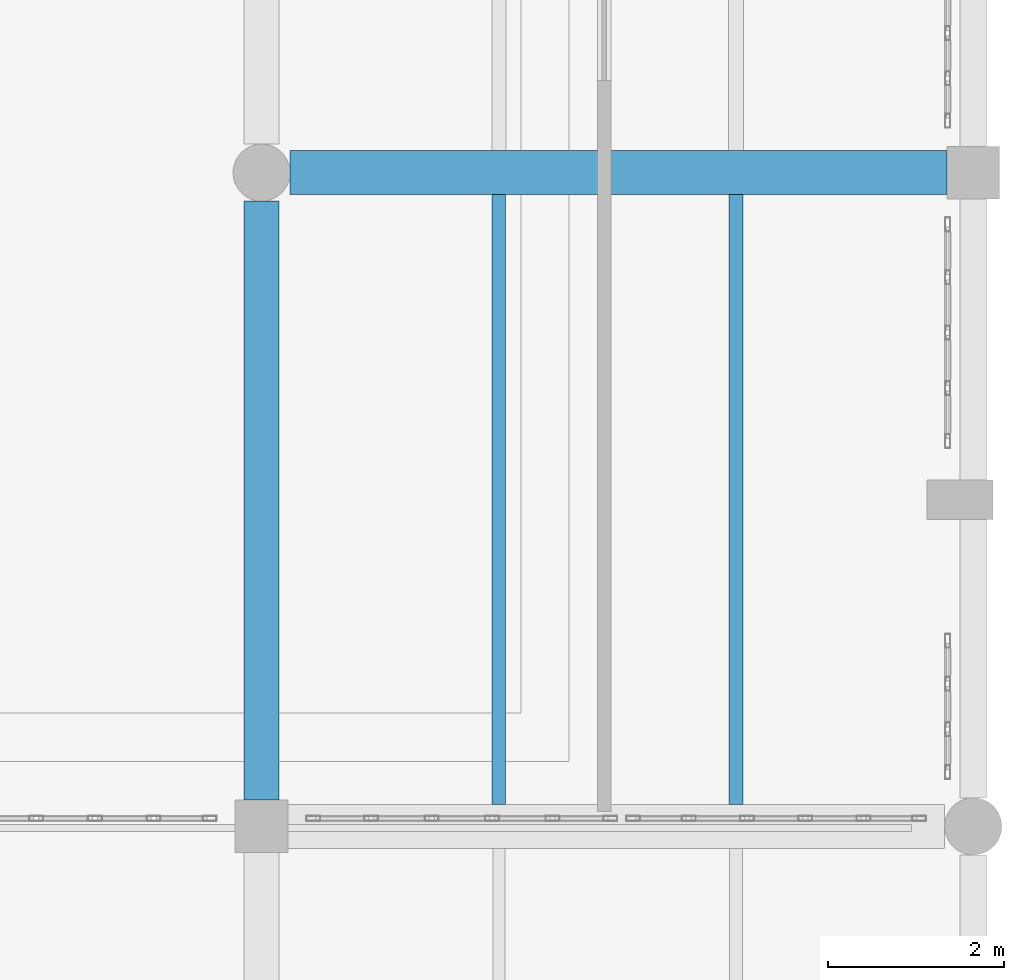
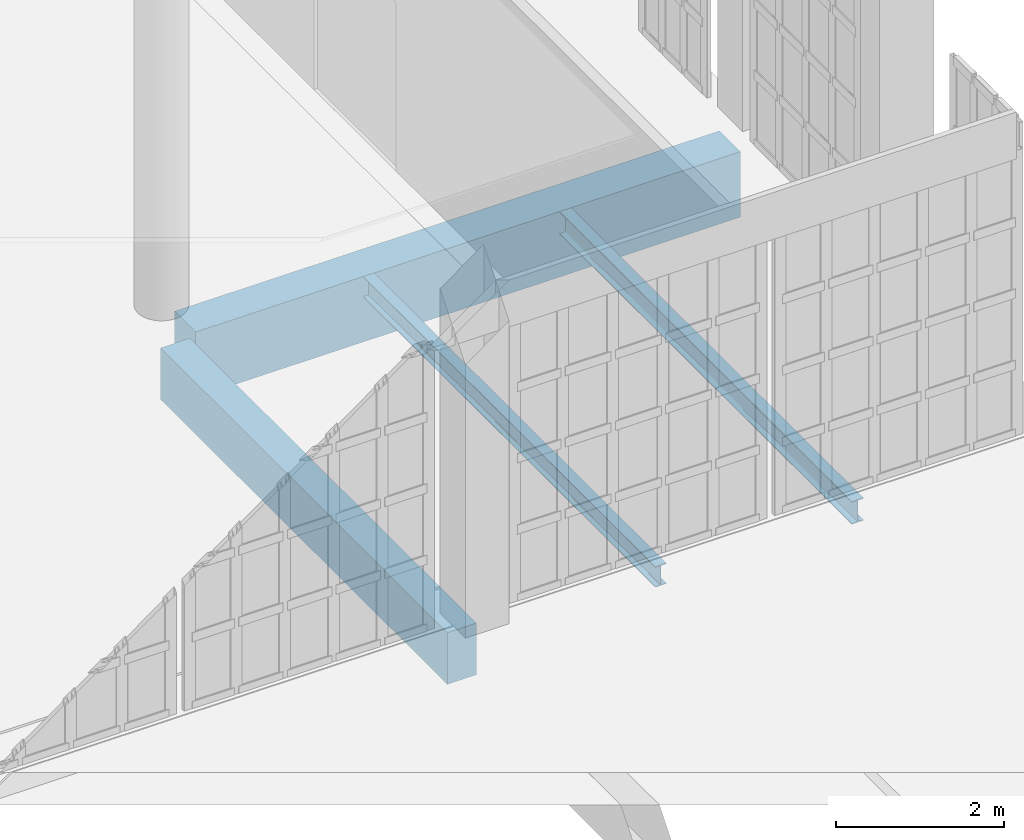
# One storey, part 278 of 372: 4 beams.
"""IFC4 building model written with IfcOpenShell, lengths in metres."""

from ifc_helpers import new_model, si_unit, direction, frame, origin, origin_2d, place, context, subcontext, project, spatial, rectangle, i_section, extrude, material, material_profile, profile_set, type_object, element, save


model = new_model("IFC4")

# Units and contexts
model_context = context("Model", 3, precision=1e-05, world=origin(), true_north=direction((0.0, 1.0)))
body_context = subcontext(model_context, "Body", "Model", "MODEL_VIEW")
ifc_project = project(units=[si_unit("LENGTHUNIT", "METRE"), si_unit("AREAUNIT", "SQUARE_METRE"), si_unit("VOLUMEUNIT", "CUBIC_METRE"), si_unit("PLANEANGLEUNIT", "RADIAN"), si_unit("MASSUNIT", "GRAM", prefix="KILO")], contexts=[model_context])

# Site, building, storey
site_placement = place(None, origin())
site = spatial("IfcSite", under=ifc_project, at=site_placement, CompositionType="ELEMENT")
building_placement = place(site_placement, origin())
building = spatial("IfcBuilding", under=site, at=building_placement, Name="Kaelora Sail Theatre", CompositionType="ELEMENT")
storey_placement = place(building_placement, origin())
storey = spatial("IfcBuildingStorey", under=building, at=storey_placement, Name="L00", CompositionType="ELEMENT", Elevation=0.0)

# Beams
ifc_material_1 = material(Name="Concrete C40/50", Category="concrete")
ifc_material_profile_1 = material_profile(ifc_material_1, rectangle(XDim=0.39990234375, YDim=0.75, at=origin_2d()), Name="RC-BM 400x750")
ifc_profile_set_1 = profile_set([ifc_material_profile_1], Name="Concrete C40/50")
beam_type_1 = type_object("IfcBeamType", Name="STR-BM-BM-RC4075", PredefinedType="BEAM", material=ifc_profile_set_1)
beam_1_placement = place(storey_placement, frame((155.39990234375, 31.56005859375, -0.695068359375), z_axis=(0.0, 1.0, 0.0), x_axis=(-1.0, 0.0, 0.0)))
element("IfcBeam", 1, at=beam_1_placement, inside=storey, type_object=beam_type_1, Name="Primary beam 20 E-F (L00)", PredefinedType="BEAM", context=body_context, shape_type="SweptSolid", body=[
    extrude(rectangle(XDim=0.39990234375, YDim=0.75, at=origin_2d()), origin(), (0.0, 0.0, 1.0), 6.81494140625),
])
ifc_material_2 = material(Name="Concrete C45/55", Category="concrete")
ifc_material_profile_2 = material_profile(ifc_material_2, rectangle(XDim=0.5, YDim=0.949951171875, at=origin_2d()), Name="RC-GRD 500x950")
ifc_profile_set_2 = profile_set([ifc_material_profile_2], Name="Concrete C45/55")
beam_type_2 = type_object("IfcBeamType", Name="STR-BM-GR-RC5095", PredefinedType="T_BEAM", material=ifc_profile_set_2)
beam_2_placement = place(storey_placement, frame((155.72509765625, 38.699951171875, -0.794921875), z_axis=(1.0, 0.0, 0.0), x_axis=(0.0, 1.0, 0.0)))
element("IfcBeam", 2, at=beam_2_placement, inside=storey, type_object=beam_type_2, Name="Primary beam F 20-21 (L00)", PredefinedType="T_BEAM", context=body_context, shape_type="SweptSolid", body=[
    extrude(rectangle(XDim=0.5, YDim=0.949951171875, at=origin_2d()), origin(), (0.0, 0.0, 1.0), 7.474853515625),
])
ifc_material_3 = material(Name="Steel S355", Category="steel")
ifc_material_profile_3 = material_profile(ifc_material_3, i_section(OverallWidth=0.14990234375, OverallDepth=0.300048828125, WebThickness=0.007080078125, FlangeThickness=0.0107421875, FilletRadius=0.014892578125, at=origin_2d()), Name="IPE 300")
ifc_profile_set_3 = profile_set([ifc_material_profile_3], Name="Steel S355")
beam_type_3 = type_object("IfcBeamType", Name="STR-BM-JS-IPE300", PredefinedType="JOIST", material=ifc_profile_set_3)
beam_3_placement = place(storey_placement, frame((158.10009765625, 31.510009765625, -0.469970703125), z_axis=(0.0, 1.0, 0.0), x_axis=(-1.0, 0.0, 0.0)))
element("IfcBeam", 3, at=beam_3_placement, inside=storey, type_object=beam_type_3, Name="Secondary floor joist 20/E-1 (L00)", PredefinedType="JOIST", context=body_context, shape_type="SweptSolid", body=[
    extrude(i_section(OverallWidth=0.14990234375, OverallDepth=0.300048828125, WebThickness=0.007080078125, FlangeThickness=0.0107421875, FilletRadius=0.014892578125, at=origin_2d()), origin(), (0.0, 0.0, 1.0), 6.93994140625),
])
ifc_material_4 = material(Name="Steel S355", Category="steel")
ifc_material_profile_4 = material_profile(ifc_material_4, i_section(OverallWidth=0.159912109375, OverallDepth=0.330078125, WebThickness=0.007568359375, FlangeThickness=0.011474609375, FilletRadius=0.01806640625, at=origin_2d()), Name="IPE 330")
ifc_profile_set_4 = profile_set([ifc_material_profile_4], Name="Steel S355")
beam_type_4 = type_object("IfcBeamType", Name="STR-BM-JS-IPE330", PredefinedType="JOIST", material=ifc_profile_set_4)
beam_4_placement = place(storey_placement, frame((160.800048828125, 31.510009765625, -0.485107421875), z_axis=(0.0, 1.0, 0.0), x_axis=(-1.0, 0.0, 0.0)))
element("IfcBeam", 4, at=beam_4_placement, inside=storey, type_object=beam_type_4, Name="Secondary floor joist 20/E-2 (L00)", PredefinedType="JOIST", context=body_context, shape_type="SweptSolid", body=[
    extrude(i_section(OverallWidth=0.159912109375, OverallDepth=0.330078125, WebThickness=0.007568359375, FlangeThickness=0.011474609375, FilletRadius=0.01806640625, at=origin_2d()), origin(), (0.0, 0.0, 1.0), 6.93994140625),
])

save(model, "model.ifc")
